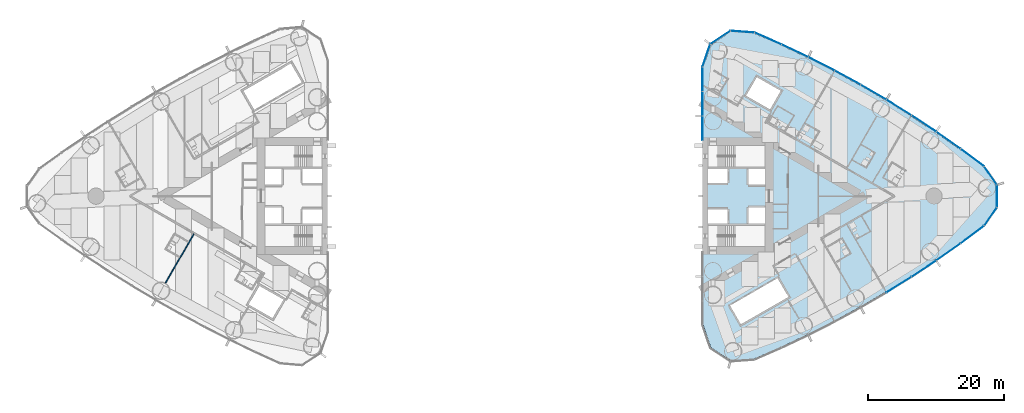
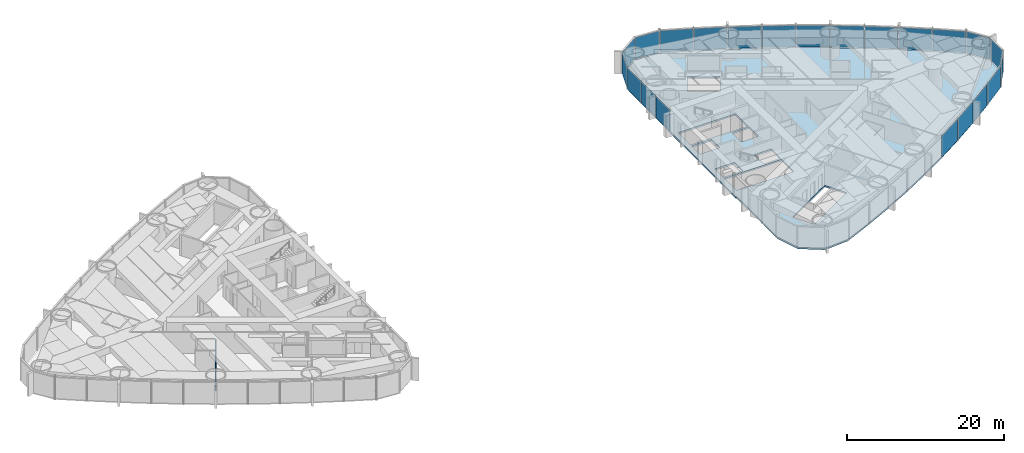
# One storey, part 10 of 18: 22 plates, 1 slab, 1 wall, 1 element without a shape of its own.
"""IFC4 building model written with IfcOpenShell, lengths in metres."""

from ifc_helpers import new_model, si_unit, direction, frame, frame_2d, origin, origin_2d, place, context, subcontext, project, spatial, polyline, rectangle, outline, extrude, material, layer, layer_set, type_object, element, aggregate, save


model = new_model("IFC4")

# Units and contexts
model_context = context("Model", 3, precision=1e-05, world=origin(), true_north=direction((0.0, 1.0)))
body_context = subcontext(model_context, "Body", "Model", "MODEL_VIEW")
ifc_project = project(units=[si_unit("LENGTHUNIT", "METRE"), si_unit("AREAUNIT", "SQUARE_METRE"), si_unit("VOLUMEUNIT", "CUBIC_METRE"), si_unit("PLANEANGLEUNIT", "RADIAN"), si_unit("MASSUNIT", "GRAM", prefix="KILO")], contexts=[model_context])

# Site, building, storey
site_placement = place(None, origin())
site = spatial("IfcSite", under=ifc_project, at=site_placement, CompositionType="ELEMENT")
building_placement = place(site_placement, origin())
building = spatial("IfcBuilding", under=site, at=building_placement, Name="Lancet Gate Hotel", CompositionType="ELEMENT")
storey_placement = place(building_placement, frame((0.0, 0.0, 129.10009765625)))
storey = spatial("IfcBuildingStorey", under=building, at=storey_placement, Name="L34", CompositionType="ELEMENT", Elevation=129.10009765625)

# Slab
ifc_material_1 = material(Name="Concrete C50/60", Category="concrete")
ifc_layer_1 = layer(ifc_material_1, 0.25)
ifc_layer_set_1 = layer_set([ifc_layer_1], Name="Floor slab 250")
slab_type = type_object("IfcSlabType", Name="Floor slab 250", PredefinedType="FLOOR", material=ifc_layer_set_1)
slab_placement = place(storey_placement, frame((0.0, 0.0, -0.25)))
element("IfcSlab", 1, at=slab_placement, inside=storey, type_object=slab_type, Name="T2 L34 floor slab", PredefinedType="FLOOR", context=body_context, shape_type="SweptSolid", body=[
    extrude(outline(polyline([(27.5, -8.60009765625), (27.6201171875, -8.60009765625), (27.6201171875, -18.923095703125), (28.7451171875, -22.22412109375), (31.63427734375, -24.1396484375), (35.112060546875, -23.890869140625), (39.0712890625, -22.150634765625), (42.996826171875, -20.29052734375), (46.867919921875, -18.31982421875), (50.681640625, -16.23974609375), (54.4345703125, -14.052490234375), (58.123779296875, -11.75927734375), (61.74658203125, -9.362548828125), (65.2998046875, -6.863525390625), (68.7666015625, -4.275390625), (70.627197265625, -1.6142578125), (70.627197265625, 1.6142578125), (68.7666015625, 4.275390625), (65.2998046875, 6.863525390625), (61.74658203125, 9.362548828125), (58.123779296875, 11.75927734375), (54.4345703125, 14.052490234375), (50.681640625, 16.23974609375), (46.867919921875, 18.31982421875), (42.996826171875, 20.29052734375), (39.0712890625, 22.150634765625), (35.112060546875, 23.890869140625), (31.63427734375, 24.1396484375), (28.7451171875, 22.22412109375), (27.6201171875, 18.923095703125), (27.6201171875, 8.60009765625), (27.5, 8.60009765625), (27.5, 8.199951171875), (27.5, -8.199951171875), (27.5, -8.60009765625)]), holes=[polyline([(36.699951171875, -7.39990234375), (36.699951171875, -4.300048828125), (28.300048828125, -4.300048828125), (28.300048828125, -7.39990234375), (36.699951171875, -7.39990234375)]), polyline([(28.300048828125, -4.0), (31.199951171875, -4.0), (31.199951171875, -1.89990234375), (28.300048828125, -1.89990234375), (28.300048828125, -4.0)]), polyline([(34.25, -4.0), (36.699951171875, -4.0), (36.699951171875, -1.64990234375), (34.25, -1.64990234375), (34.25, -4.0)]), polyline([(36.699951171875, 1.64990234375), (36.699951171875, 4.0), (34.25, 4.0), (34.25, 1.64990234375), (36.699951171875, 1.64990234375)]), polyline([(28.300048828125, 1.89990234375), (31.199951171875, 1.89990234375), (31.199951171875, 4.0), (28.300048828125, 4.0), (28.300048828125, 1.89990234375)]), polyline([(28.300048828125, 4.300048828125), (36.699951171875, 4.300048828125), (36.699951171875, 7.39990234375), (28.300048828125, 7.39990234375), (28.300048828125, 4.300048828125)]), polyline([(31.549072265625, -16.0810546875), (33.14892578125, -18.85205078125), (40.1640625, -14.802001953125), (38.56396484375, -12.031005859375), (31.549072265625, -16.0810546875)]), polyline([(33.887939453125, 14.73095703125), (37.43798828125, 12.680908203125), (39.0380859375, 15.451904296875), (35.488037109375, 17.501953125), (33.887939453125, 14.73095703125)])]), origin(), (0.0, 0.0, 1.0), 0.25),
])

# Curtain wall, plates
ifc_material_2 = material(Name="Aluminium curtain wall", Category="aluminium")
curtain_wall_type = type_object("IfcCurtainWallType", Name="Tower unitised curtain wall", PredefinedType="USERDEFINED", material=ifc_material_2)
curtain_wall_placement = place(storey_placement, origin())
curtain_wall = element("IfcCurtainWall", 2, at=curtain_wall_placement, inside=storey, type_object=curtain_wall_type, Name="T2 L34 curtain wall 1", ObjectType="UNITISED CURTAIN WALL", PredefinedType="USERDEFINED")
ifc_material_3 = material(Name="Glass double glazed unit 8-16-6", Category="glass")
ifc_layer_2 = layer(ifc_material_3, 0.030029296875)
ifc_layer_set_2 = layer_set([ifc_layer_2], Name="Vision panel double glazed")
plate_type = type_object("IfcPlateType", Name="Vision panel double glazed", PredefinedType="CURTAIN_PANEL", material=ifc_layer_set_2)
plate_1_placement = place(storey_placement, frame((56.342529296875, -13.0078125, -0.000244140625), z_axis=(0.0, 0.0, 1.0), x_axis=(0.849317759497, 0.527881940781, 0.0)))
plate_1 = element("IfcPlate", 3, at=plate_1_placement, type_object=plate_type, Name="T2 L34 curtain wall 1 panel 12", PredefinedType="CURTAIN_PANEL", context=body_context, shape_type="SweptSolid", body=[
    extrude(rectangle(XDim=4.2822265625, YDim=0.030029296875, at=origin_2d()), origin(), (0.0, 0.0, 1.0), 3.35009765625),
])
plate_2_placement = place(storey_placement, frame((60.00146484375, -10.660888671875, -0.000244140625), z_axis=(0.0, 0.0, 1.0), x_axis=(0.83398495346, 0.551787184885, 0.0)))
plate_2 = element("IfcPlate", 4, at=plate_2_placement, type_object=plate_type, Name="T2 L34 curtain wall 1 panel 13", PredefinedType="CURTAIN_PANEL", context=body_context, shape_type="SweptSolid", body=[
    extrude(rectangle(XDim=4.2822265625, YDim=0.030029296875, at=origin_2d()), origin(), (0.0, 0.0, 1.0), 3.35009765625),
])
plate_3_placement = place(storey_placement, frame((63.59228515625, -8.211181640625, -0.000244140625), z_axis=(0.0, 0.0, 1.0), x_axis=(0.817979492167, 0.57524738191, 0.0)))
plate_3 = element("IfcPlate", 5, at=plate_3_placement, type_object=plate_type, Name="T2 L34 curtain wall 1 panel 14", PredefinedType="CURTAIN_PANEL", context=body_context, shape_type="SweptSolid", body=[
    extrude(rectangle(XDim=4.2822265625, YDim=0.030029296875, at=origin_2d()), origin(), (0.0, 0.0, 1.0), 3.35009765625),
])
plate_4_placement = place(storey_placement, frame((67.112060546875, -5.660400390625, -0.000244140625), z_axis=(0.0, 0.0, 1.0), x_axis=(0.801314284905, 0.598243609917, 0.0)))
plate_4 = element("IfcPlate", 6, at=plate_4_placement, type_object=plate_type, Name="T2 L34 curtain wall 1 panel 15", PredefinedType="CURTAIN_PANEL", context=body_context, shape_type="SweptSolid", body=[
    extrude(rectangle(XDim=4.2822265625, YDim=0.030029296875, at=origin_2d()), origin(), (0.0, 0.0, 1.0), 3.35009765625),
])
plate_5_placement = place(storey_placement, frame((69.800537109375, -3.006103515625, -0.000244140625), z_axis=(0.0, 0.0, 1.0), x_axis=(0.573025075425, 0.819537834962, 0.0)))
plate_5 = element("IfcPlate", 7, at=plate_5_placement, type_object=plate_type, Name="T2 L34 curtain wall 1 panel 16", PredefinedType="CURTAIN_PANEL", context=body_context, shape_type="SweptSolid", body=[
    extrude(rectangle(XDim=3.2392578125, YDim=0.030029296875, at=origin_2d()), origin(), (0.0, 0.0, 1.0), 3.35009765625),
])
plate_6_placement = place(storey_placement, frame((70.747314453125, 0.0, -0.000244140625), z_axis=(0.0, 0.0, 1.0), x_axis=(0.0, 1.0, 0.0)))
plate_6 = element("IfcPlate", 8, at=plate_6_placement, type_object=plate_type, Name="T2 L34 curtain wall 1 panel 17", PredefinedType="CURTAIN_PANEL", context=body_context, shape_type="SweptSolid", body=[
    extrude(rectangle(XDim=3.2392578125, YDim=0.030029296875, at=origin_2d()), origin(), (0.0, 0.0, 1.0), 3.35009765625),
])
plate_7_placement = place(storey_placement, frame((69.800537109375, 3.006103515625, -0.000244140625), z_axis=(0.0, 0.0, 1.0), x_axis=(-0.573025075425, 0.819537834962, 0.0)))
plate_7 = element("IfcPlate", 9, at=plate_7_placement, type_object=plate_type, Name="T2 L34 curtain wall 1 panel 18", PredefinedType="CURTAIN_PANEL", context=body_context, shape_type="SweptSolid", body=[
    extrude(rectangle(XDim=3.2392578125, YDim=0.030029296875, at=origin_2d()), origin(), (0.0, 0.0, 1.0), 3.35009765625),
])
plate_8_placement = place(storey_placement, frame((67.112060546875, 5.660400390625, -0.000244140625), z_axis=(0.0, 0.0, 1.0), x_axis=(-0.801314284905, 0.598243609917, 0.0)))
plate_8 = element("IfcPlate", 10, at=plate_8_placement, type_object=plate_type, Name="T2 L34 curtain wall 1 panel 19", PredefinedType="CURTAIN_PANEL", context=body_context, shape_type="SweptSolid", body=[
    extrude(rectangle(XDim=4.2822265625, YDim=0.030029296875, at=origin_2d()), origin(), (0.0, 0.0, 1.0), 3.35009765625),
])
plate_9_placement = place(storey_placement, frame((63.59228515625, 8.211181640625, -0.000244140625), z_axis=(0.0, 0.0, 1.0), x_axis=(-0.817979492167, 0.57524738191, 0.0)))
plate_9 = element("IfcPlate", 11, at=plate_9_placement, type_object=plate_type, Name="T2 L34 curtain wall 1 panel 20", PredefinedType="CURTAIN_PANEL", context=body_context, shape_type="SweptSolid", body=[
    extrude(rectangle(XDim=4.2822265625, YDim=0.030029296875, at=origin_2d()), origin(), (0.0, 0.0, 1.0), 3.35009765625),
])
plate_10_placement = place(storey_placement, frame((60.00146484375, 10.660888671875, -0.000244140625), z_axis=(0.0, 0.0, 1.0), x_axis=(-0.83398495346, 0.551787184885, 0.0)))
plate_10 = element("IfcPlate", 12, at=plate_10_placement, type_object=plate_type, Name="T2 L34 curtain wall 1 panel 21", PredefinedType="CURTAIN_PANEL", context=body_context, shape_type="SweptSolid", body=[
    extrude(rectangle(XDim=4.2822265625, YDim=0.030029296875, at=origin_2d()), origin(), (0.0, 0.0, 1.0), 3.35009765625),
])
plate_11_placement = place(storey_placement, frame((56.342529296875, 13.0078125, -0.000244140625), z_axis=(0.0, 0.0, 1.0), x_axis=(-0.849317759497, 0.527881940781, 0.0)))
plate_11 = element("IfcPlate", 13, at=plate_11_placement, type_object=plate_type, Name="T2 L34 curtain wall 1 panel 22", PredefinedType="CURTAIN_PANEL", context=body_context, shape_type="SweptSolid", body=[
    extrude(rectangle(XDim=4.2822265625, YDim=0.030029296875, at=origin_2d()), origin(), (0.0, 0.0, 1.0), 3.35009765625),
])
plate_12_placement = place(storey_placement, frame((52.618408203125, 15.249755859375, -0.000244140625), z_axis=(0.0, 0.0, 1.0), x_axis=(-0.863965543499, 0.503550930538, 0.0)))
plate_12 = element("IfcPlate", 14, at=plate_12_placement, type_object=plate_type, Name="T2 L34 curtain wall 1 panel 23", PredefinedType="CURTAIN_PANEL", context=body_context, shape_type="SweptSolid", body=[
    extrude(rectangle(XDim=4.2822265625, YDim=0.030029296875, at=origin_2d()), origin(), (0.0, 0.0, 1.0), 3.35009765625),
])
plate_13_placement = place(storey_placement, frame((48.832275390625, 17.38525390625, -0.000244140625), z_axis=(0.0, 0.0, 1.0), x_axis=(-0.877916491224, 0.478813778454, 0.0)))
plate_13 = element("IfcPlate", 15, at=plate_13_placement, type_object=plate_type, Name="T2 L34 curtain wall 1 panel 24", PredefinedType="CURTAIN_PANEL", context=body_context, shape_type="SweptSolid", body=[
    extrude(rectangle(XDim=4.2822265625, YDim=0.030029296875, at=origin_2d()), origin(), (0.0, 0.0, 1.0), 3.35009765625),
])
plate_14_placement = place(storey_placement, frame((44.98681640625, 19.412109375, -0.000244140625), z_axis=(0.0, 0.0, 1.0), x_axis=(-0.891159350462, 0.453690436403, 0.0)))
plate_14 = element("IfcPlate", 16, at=plate_14_placement, type_object=plate_type, Name="T2 L34 curtain wall 1 panel 25", PredefinedType="CURTAIN_PANEL", context=body_context, shape_type="SweptSolid", body=[
    extrude(rectangle(XDim=4.2822265625, YDim=0.030029296875, at=origin_2d()), origin(), (0.0, 0.0, 1.0), 3.35009765625),
])
plate_15_placement = place(storey_placement, frame((41.08544921875, 21.3291015625, -0.000244140625), z_axis=(0.0, 0.0, 1.0), x_axis=(-0.903683440096, 0.428201167789, 0.0)))
plate_15 = element("IfcPlate", 17, at=plate_15_placement, type_object=plate_type, Name="T2 L34 curtain wall 1 panel 26", PredefinedType="CURTAIN_PANEL", context=body_context, shape_type="SweptSolid", body=[
    extrude(rectangle(XDim=4.2822265625, YDim=0.030029296875, at=origin_2d()), origin(), (0.0, 0.0, 1.0), 3.35009765625),
])
plate_16_placement = place(storey_placement, frame((37.13134765625, 23.13427734375, -0.000244140625), z_axis=(0.0, 0.0, 1.0), x_axis=(-0.915478658759, 0.40236653111, 0.0)))
plate_16 = element("IfcPlate", 18, at=plate_16_placement, type_object=plate_type, Name="T2 L34 curtain wall 1 panel 27", PredefinedType="CURTAIN_PANEL", context=body_context, shape_type="SweptSolid", body=[
    extrude(rectangle(XDim=4.2822265625, YDim=0.030029296875, at=origin_2d()), origin(), (0.0, 0.0, 1.0), 3.35009765625),
])
plate_17_placement = place(storey_placement, frame((33.37158203125, 24.1357421875, -0.000244140625), z_axis=(0.0, 0.0, 1.0), x_axis=(-0.997448492935, 0.07138980278, 0.0)))
plate_17 = element("IfcPlate", 19, at=plate_17_placement, type_object=plate_type, Name="T2 L34 curtain wall 1 panel 28", PredefinedType="CURTAIN_PANEL", context=body_context, shape_type="SweptSolid", body=[
    extrude(rectangle(XDim=3.4833984375, YDim=0.030029296875, at=origin_2d()), origin(), (0.0, 0.0, 1.0), 3.35009765625),
])
plate_18_placement = place(storey_placement, frame((30.123291015625, 23.281982421875, -0.000244140625), z_axis=(0.0, 0.0, 1.0), x_axis=(-0.833464516611, -0.552572981198, 0.0)))
plate_18 = element("IfcPlate", 20, at=plate_18_placement, type_object=plate_type, Name="T2 L34 curtain wall 1 panel 29", PredefinedType="CURTAIN_PANEL", context=body_context, shape_type="SweptSolid", body=[
    extrude(rectangle(XDim=3.4833984375, YDim=0.030029296875, at=origin_2d()), origin(), (0.0, 0.0, 1.0), 3.35009765625),
])
plate_19_placement = place(storey_placement, frame((28.072265625, 20.622314453125, -0.000244140625), z_axis=(0.0, 0.0, 1.0), x_axis=(-0.32257568891, -0.946543673015, 0.0)))
plate_19 = element("IfcPlate", 21, at=plate_19_placement, type_object=plate_type, Name="T2 L34 curtain wall 1 panel 30", PredefinedType="CURTAIN_PANEL", context=body_context, shape_type="SweptSolid", body=[
    extrude(rectangle(XDim=3.4833984375, YDim=0.030029296875, at=origin_2d()), origin(), (0.0, 0.0, 1.0), 3.35009765625),
])
plate_20_placement = place(storey_placement, frame((27.5, 17.15234375, -0.000244140625), z_axis=(0.0, 0.0, 1.0), x_axis=(0.0, -1.0, 0.0)))
plate_20 = element("IfcPlate", 22, at=plate_20_placement, type_object=plate_type, Name="T2 L34 curtain wall 1 panel 31", PredefinedType="CURTAIN_PANEL", context=body_context, shape_type="SweptSolid", body=[
    extrude(rectangle(XDim=3.515869140625, YDim=0.030029296875, at=origin_2d()), origin(), (0.0, 0.0, 1.0), 3.35009765625),
])
plate_21_placement = place(storey_placement, frame((27.5, 13.571533203125, -0.000244140625), z_axis=(0.0, 0.0, 1.0), x_axis=(0.0, -1.0, 0.0)))
plate_21 = element("IfcPlate", 23, at=plate_21_placement, type_object=plate_type, Name="T2 L34 curtain wall 1 panel 32", PredefinedType="CURTAIN_PANEL", context=body_context, shape_type="SweptSolid", body=[
    extrude(rectangle(XDim=3.515869140625, YDim=0.030029296875, at=origin_2d()), origin(), (0.0, 0.0, 1.0), 3.35009765625),
])
plate_22_placement = place(storey_placement, frame((27.5, 9.990478515625, -0.000244140625), z_axis=(0.0, 0.0, 1.0), x_axis=(0.0, -1.0, 0.0)))
plate_22 = element("IfcPlate", 24, at=plate_22_placement, type_object=plate_type, Name="T2 L34 curtain wall 1 panel 33", PredefinedType="CURTAIN_PANEL", context=body_context, shape_type="SweptSolid", body=[
    extrude(rectangle(XDim=3.515869140625, YDim=0.030029296875, at=origin_2d()), origin(), (0.0, 0.0, 1.0), 3.35009765625),
])
aggregate(curtain_wall, [plate_1, plate_2, plate_3, plate_4, plate_5, plate_6, plate_7, plate_8, plate_9, plate_10, plate_11, plate_12, plate_13, plate_14, plate_15, plate_16, plate_17, plate_18, plate_19, plate_20, plate_21, plate_22])

# Wall
ifc_material_4 = material(Name="Gypsum board partition")
ifc_layer_3 = layer(ifc_material_4, 0.14990234375)
ifc_layer_set_3 = layer_set([ifc_layer_3], Name="Party wall 150")
wall_type = type_object("IfcWallType", Name="Party wall 150", PredefinedType="PARTITIONING", material=ifc_layer_set_3)
wall_placement = place(storey_placement, frame((-47.151123046875, -5.552490234375, 0.0), z_axis=(0.0, 0.0, 1.0), x_axis=(-0.500003012045, -0.866023664773, 0.0)))
element("IfcWall", 25, at=wall_placement, inside=storey, type_object=wall_type, Name="T1 party wall 150 L34", PredefinedType="PARTITIONING", context=body_context, shape_type="SweptSolid", body=[
    extrude(rectangle(XDim=8.31103515625, YDim=0.14990234375, at=frame_2d((4.155517578125, 0.0))), origin(), (0.0, 0.0, 1.0), 2.199951171875),
])

save(model, "model.ifc")
